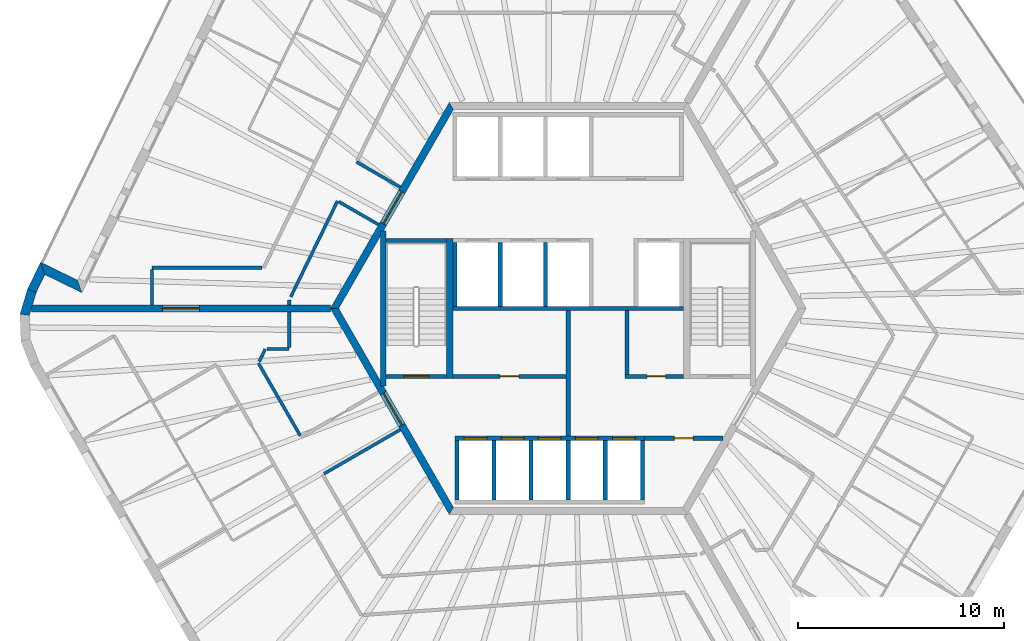
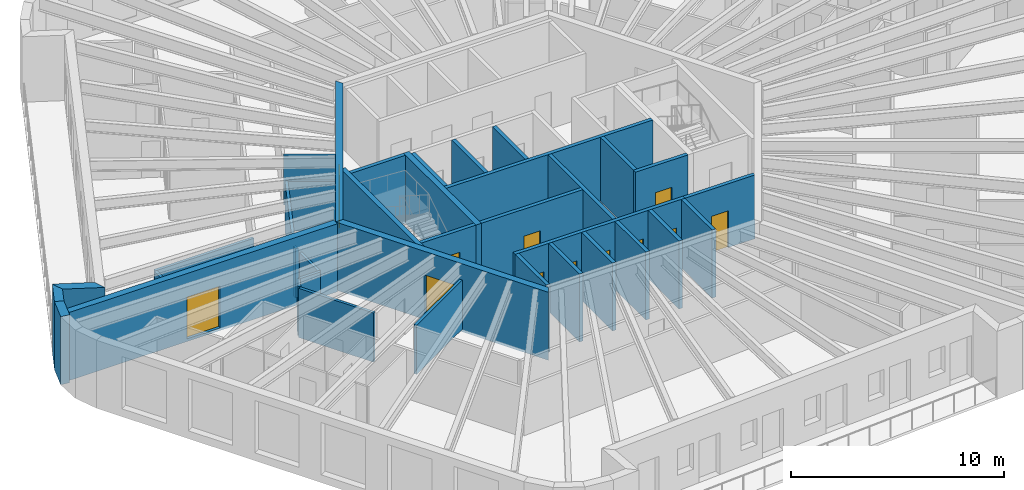
# One storey, part 4 of 11: 37 walls, 12 doors, 12 openings.
"""IFC4 building model written with IfcOpenShell, lengths in metres."""

from ifc_helpers import new_model, si_unit, direction, frame, frame_2d, origin, place, context, subcontext, project, spatial, polyline, rectangle, outline, extrude, material, layer, layer_set, type_object, element, fill, save


model = new_model("IFC4")

# Units and contexts
model_context = context("Model", 3, precision=1e-05, world=origin(), true_north=direction((0.0, 1.0)))
body_context = subcontext(model_context, "Body", "Model", "MODEL_VIEW")
ifc_project = project(units=[si_unit("LENGTHUNIT", "METRE"), si_unit("AREAUNIT", "SQUARE_METRE"), si_unit("VOLUMEUNIT", "CUBIC_METRE"), si_unit("PLANEANGLEUNIT", "RADIAN"), si_unit("MASSUNIT", "GRAM", prefix="KILO")], contexts=[model_context])

# Site, building, storey
site_placement = place(None, origin())
site = spatial("IfcSite", under=ifc_project, at=site_placement, CompositionType="ELEMENT")
building_placement = place(site_placement, origin())
building = spatial("IfcBuilding", under=site, at=building_placement, Name="Tarnside Tower", CompositionType="ELEMENT")
storey_placement = place(building_placement, frame((0.0, 0.0, 353.39990234375)))
storey = spatial("IfcBuildingStorey", under=building, at=storey_placement, Name="L85", CompositionType="ELEMENT", Elevation=353.39990234375)

# Wall, opening, door
ifc_material_1 = material(Name="Concrete C40/50", Category="concrete")
ifc_layer_1 = layer(ifc_material_1, 0.199951171875)
ifc_layer_set_1 = layer_set([ifc_layer_1], Name="Core room partition 200 C40/50")
wall_type_1 = type_object("IfcWallType", Name="Core room partition 200 C40/50", PredefinedType="PARTITIONING", material=ifc_layer_set_1)
wall_1_placement = place(storey_placement, frame((-5.60009765625, -3.300048828125, 0.0), z_axis=(0.0, 0.0, 1.0), x_axis=(1.0, 0.0, 0.0)))
wall_1 = element("IfcWall", 1, at=wall_1_placement, inside=storey, type_object=wall_type_1, Name="L85 core partition W3", PredefinedType="PARTITIONING", context=body_context, shape_type="SweptSolid", body=[
    extrude(rectangle(XDim=5.5, YDim=0.199951171875, at=frame_2d((2.75, 0.0))), origin(), (0.0, 0.0, 1.0), 3.650146484375),
])
opening_1_placement = place(wall_1_placement, frame((2.300048828125, 0.0, 0.0)))
opening_1 = element("IfcOpeningElement", 2, at=opening_1_placement, cuts=wall_1, Name="Opening CD-room", PredefinedType="OPENING", context=body_context, shape_type="SweptSolid", body=[
    extrude(rectangle(XDim=0.89990234375, YDim=2.10009765625, at=frame_2d((0.449951171875, 1.050048828125))), frame((0.0, 0.10986328125, 0.0), z_axis=(0.0, -1.0, 0.0), x_axis=(1.0, 0.0, 0.0)), (0.0, 0.0, 1.0), 0.219970703125),
])
ifc_material_2 = material(Name="Steel fire door", Category="steel")
door_type_1 = type_object("IfcDoorType", Name="Room door FD60 900x2100", OperationType="NOTDEFINED", PredefinedType="DOOR", material=ifc_material_2)
door_1_placement = place(opening_1_placement, origin())
door_1 = element("IfcDoor", 3, at=door_1_placement, inside=storey, type_object=door_type_1, Name="L85 core room door W3D", OperationType="SINGLE_SWING_LEFT", OverallHeight=2.10009765625, OverallWidth=0.89990234375, PredefinedType="DOOR", context=body_context, shape_type="SweptSolid", body=[
    extrude(rectangle(XDim=0.89990234375, YDim=2.10009765625, at=frame_2d((0.449951171875, 1.050048828125))), frame((0.0, 0.02490234375, 0.0), z_axis=(0.0, -1.0, 0.0), x_axis=(1.0, 0.0, 0.0)), (0.0, 0.0, 1.0), 0.050048828125),
])
fill(opening_1, door_1)

wall_2_placement = place(storey_placement, frame((2.75, -3.300048828125, 0.0), z_axis=(0.0, 0.0, 1.0), x_axis=(1.0, 0.0, 0.0)))
wall_2 = element("IfcWall", 4, at=wall_2_placement, inside=storey, type_object=wall_type_1, Name="L85 core partition R3S1", PredefinedType="PARTITIONING", context=body_context, shape_type="SweptSolid", body=[
    extrude(rectangle(XDim=2.85009765625, YDim=0.199951171875, at=frame_2d((1.425048828125, 0.0))), origin(), (0.0, 0.0, 1.0), 3.650146484375),
])
opening_2_placement = place(wall_2_placement, frame((1.074951171875, 0.0, 0.0)))
opening_2 = element("IfcOpeningElement", 5, at=opening_2_placement, cuts=wall_2, Name="Opening CD-room", PredefinedType="OPENING", context=body_context, shape_type="SweptSolid", body=[
    extrude(rectangle(XDim=0.89990234375, YDim=2.10009765625, at=frame_2d((0.449951171875, 1.050048828125))), frame((0.0, 0.10986328125, 0.0), z_axis=(0.0, -1.0, 0.0), x_axis=(1.0, 0.0, 0.0)), (0.0, 0.0, 1.0), 0.219970703125),
])
door_2_placement = place(opening_2_placement, origin())
door_2 = element("IfcDoor", 6, at=door_2_placement, inside=storey, type_object=door_type_1, Name="L85 core room door SR1", OperationType="SINGLE_SWING_LEFT", OverallHeight=2.10009765625, OverallWidth=0.89990234375, PredefinedType="DOOR", context=body_context, shape_type="SweptSolid", body=[
    extrude(rectangle(XDim=0.89990234375, YDim=2.10009765625, at=frame_2d((0.449951171875, 1.050048828125))), frame((0.0, 0.02490234375, 0.0), z_axis=(0.0, -1.0, 0.0), x_axis=(1.0, 0.0, 0.0)), (0.0, 0.0, 1.0), 0.050048828125),
])
fill(opening_2, door_2)

# Walls
wall_3_placement = place(storey_placement, frame((2.85009765625, -3.199951171875, 0.0), z_axis=(0.0, 0.0, 1.0), x_axis=(0.0, 1.0, 0.0)))
element("IfcWall", 7, at=wall_3_placement, inside=storey, type_object=wall_type_1, Name="L85 core partition R3P1a", PredefinedType="PARTITIONING", context=body_context, shape_type="SweptSolid", body=[
    extrude(rectangle(XDim=3.099853515625, YDim=0.199951171875, at=frame_2d((1.5498046875, 0.0))), origin(), (0.0, 0.0, 1.0), 3.650146484375),
])
wall_4_placement = place(storey_placement, frame((0.0, -6.199951171875, 0.0), z_axis=(0.0, 0.0, 1.0), x_axis=(0.0, 1.0, 0.0)))
element("IfcWall", 8, at=wall_4_placement, inside=storey, type_object=wall_type_1, Name="L85 core partition X0", PredefinedType="PARTITIONING", context=body_context, shape_type="SweptSolid", body=[
    extrude(rectangle(XDim=6.099853515625, YDim=0.199951171875, at=frame_2d((3.0498046875, 0.0))), origin(), (0.0, 0.0, 1.0), 3.650146484375),
])

# Wall, opening, door
wall_5_placement = place(storey_placement, frame((3.699951171875, -6.300048828125, 0.0), z_axis=(0.0, 0.0, 1.0), x_axis=(1.0, 0.0, 0.0)))
wall_5 = element("IfcWall", 9, at=wall_5_placement, inside=storey, type_object=wall_type_1, Name="L85 core partition R4X", PredefinedType="PARTITIONING", context=body_context, shape_type="SweptSolid", body=[
    extrude(rectangle(XDim=3.8056640625, YDim=0.199951171875, at=frame_2d((1.90283203125, 0.0))), origin(), (0.0, 0.0, 1.0), 3.650146484375),
])
opening_3_placement = place(wall_5_placement, frame((1.452880859375, 0.0, 0.0)))
opening_3 = element("IfcOpeningElement", 10, at=opening_3_placement, cuts=wall_5, Name="Opening CD-room", PredefinedType="OPENING", context=body_context, shape_type="SweptSolid", body=[
    extrude(rectangle(XDim=0.89990234375, YDim=2.10009765625, at=frame_2d((0.449951171875, 1.050048828125))), frame((0.0, 0.10986328125, 0.0), z_axis=(0.0, -1.0, 0.0), x_axis=(1.0, 0.0, 0.0)), (0.0, 0.0, 1.0), 0.219970703125),
])
door_3_placement = place(opening_3_placement, origin())
door_3 = element("IfcDoor", 11, at=door_3_placement, inside=storey, type_object=door_type_1, Name="L85 core room door RX", OperationType="SINGLE_SWING_LEFT", OverallHeight=2.10009765625, OverallWidth=0.89990234375, PredefinedType="DOOR", context=body_context, shape_type="SweptSolid", body=[
    extrude(rectangle(XDim=0.89990234375, YDim=2.10009765625, at=frame_2d((0.449951171875, 1.050048828125))), frame((0.0, 0.02490234375, 0.0), z_axis=(0.0, -1.0, 0.0), x_axis=(1.0, 0.0, 0.0)), (0.0, 0.0, 1.0), 0.050048828125),
])
fill(opening_3, door_3)

ifc_material_3 = material(Name="Concrete C50/60", Category="concrete")
ifc_layer_2 = layer(ifc_material_3, 0.35009765625)
ifc_layer_set_2 = layer_set([ifc_layer_2], Name="Core wall Z4 350 C50/60")
wall_type_2 = type_object("IfcWallType", Name="Core wall Z4 350 C50/60", PredefinedType="SHEAR", material=ifc_layer_set_2)
wall_6_placement = place(storey_placement, frame((-5.672607421875, 9.824951171875, -0.14990234375), z_axis=(0.0, 0.0, 1.0), x_axis=(-0.499995046907, -0.866028263435, 0.0)))
wall_6 = element("IfcWall", 12, at=wall_6_placement, inside=storey, type_object=wall_type_2, Name="L85 core wall face 2", PredefinedType="SHEAR", context=body_context, shape_type="SweptSolid", body=[
    extrude(outline(polyline([(-0.10107421875, -0.175048828125), (11.44580078125, -0.175048828125), (11.24365234375, 0.175048828125), (0.10107421875, 0.175048828125), (-0.10107421875, -0.175048828125)])), origin(), (0.0, 0.0, 1.0), 3.89990234375),
])
opening_4_placement = place(wall_6_placement, frame((4.80126953125, 0.0, 0.14990234375)))
opening_4 = element("IfcOpeningElement", 13, at=opening_4_placement, cuts=wall_6, Name="Opening CD-LOB", PredefinedType="OPENING", context=body_context, shape_type="SweptSolid", body=[
    extrude(rectangle(XDim=1.800048828125, YDim=2.39990234375, at=frame_2d((0.89990234375, 1.199951171875))), frame((0.0, 0.18505859375, 0.0), z_axis=(0.0, -1.0, 0.0), x_axis=(1.0, 0.0, 0.0)), (0.0, 0.0, 1.0), 0.3701171875),
])
door_type_2 = type_object("IfcDoorType", Name="Lobby double door FD30S 1800x2400", OperationType="NOTDEFINED", PredefinedType="DOOR", material=ifc_material_2)
door_4_placement = place(opening_4_placement, origin())
door_4 = element("IfcDoor", 14, at=door_4_placement, inside=storey, type_object=door_type_2, Name="L85 core door P1", OperationType="DOUBLE_DOOR_SINGLE_SWING", OverallHeight=2.39990234375, OverallWidth=1.800048828125, PredefinedType="DOOR", context=body_context, shape_type="SweptSolid", body=[
    extrude(rectangle(XDim=1.800048828125, YDim=2.39990234375, at=frame_2d((0.89990234375, 1.199951171875))), frame((0.0, 0.02490234375, 0.0), z_axis=(0.0, -1.0, 0.0), x_axis=(1.0, 0.0, 0.0)), (0.0, 0.0, 1.0), 0.050048828125),
])
fill(opening_4, door_4)

wall_7_placement = place(storey_placement, frame((-11.344970703125, 0.0, -0.14990234375), z_axis=(0.0, 0.0, 1.0), x_axis=(0.499995046907, -0.866028263435, 0.0)))
wall_7 = element("IfcWall", 15, at=wall_7_placement, inside=storey, type_object=wall_type_2, Name="L85 core wall face 3", PredefinedType="SHEAR", context=body_context, shape_type="SweptSolid", body=[
    extrude(outline(polyline([(-0.10107421875, -0.175048828125), (11.44580078125, -0.175048828125), (11.24365234375, 0.175048828125), (0.10107421875, 0.175048828125), (-0.10107421875, -0.175048828125)])), origin(), (0.0, 0.0, 1.0), 3.89990234375),
])
opening_5_placement = place(wall_7_placement, frame((4.74365234375, 0.0, 0.14990234375)))
opening_5 = element("IfcOpeningElement", 16, at=opening_5_placement, cuts=wall_7, Name="Opening CD-FFL", PredefinedType="OPENING", context=body_context, shape_type="SweptSolid", body=[
    extrude(rectangle(XDim=1.800048828125, YDim=2.39990234375, at=frame_2d((0.89990234375, 1.199951171875))), frame((0.0, 0.18505859375, 0.0), z_axis=(0.0, -1.0, 0.0), x_axis=(1.0, 0.0, 0.0)), (0.0, 0.0, 1.0), 0.3701171875),
])
door_type_3 = type_object("IfcDoorType", Name="Firefighting lobby double door FD60S 1800x2400", OperationType="NOTDEFINED", PredefinedType="DOOR", material=ifc_material_2)
door_5_placement = place(opening_5_placement, origin())
door_5 = element("IfcDoor", 17, at=door_5_placement, inside=storey, type_object=door_type_3, Name="L85 core door P3", OperationType="DOUBLE_DOOR_SINGLE_SWING", OverallHeight=2.39990234375, OverallWidth=1.800048828125, PredefinedType="DOOR", context=body_context, shape_type="SweptSolid", body=[
    extrude(rectangle(XDim=1.800048828125, YDim=2.39990234375, at=frame_2d((0.89990234375, 1.199951171875))), frame((0.0, 0.02490234375, 0.0), z_axis=(0.0, -1.0, 0.0), x_axis=(1.0, 0.0, 0.0)), (0.0, 0.0, 1.0), 0.050048828125),
])
fill(opening_5, door_5)

wall_8_placement = place(storey_placement, frame((-11.547119140625, 0.0, -0.14990234375), z_axis=(0.0, 0.0, 1.0), x_axis=(-1.0, 0.0, 0.0)))
wall_8 = element("IfcWall", 18, at=wall_8_placement, inside=storey, type_object=wall_type_2, Name="L85 spine wall 2", PredefinedType="SHEAR", context=body_context, shape_type="SweptSolid", body=[
    extrude(rectangle(XDim=14.510498046875, YDim=0.35009765625, at=frame_2d((7.25537109375, 0.0))), origin(), (0.0, 0.0, 1.0), 3.89990234375),
])
opening_6_placement = place(wall_8_placement, frame((6.355224609375, 0.0, 0.14990234375)))
opening_6 = element("IfcOpeningElement", 19, at=opening_6_placement, cuts=wall_8, Name="Opening CD-SPN", PredefinedType="OPENING", context=body_context, shape_type="SweptSolid", body=[
    extrude(rectangle(XDim=1.800048828125, YDim=2.39990234375, at=frame_2d((0.89990234375, 1.199951171875))), frame((0.0, 0.18505859375, 0.0), z_axis=(0.0, -1.0, 0.0), x_axis=(1.0, 0.0, 0.0)), (0.0, 0.0, 1.0), 0.3701171875),
])
door_type_4 = type_object("IfcDoorType", Name="Spine passage double door FD60 1800x2400", OperationType="NOTDEFINED", PredefinedType="DOOR", material=ifc_material_2)
door_6_placement = place(opening_6_placement, origin())
door_6 = element("IfcDoor", 20, at=door_6_placement, inside=storey, type_object=door_type_4, Name="L85 spine passage door 2", OperationType="DOUBLE_DOOR_SINGLE_SWING", OverallHeight=2.39990234375, OverallWidth=1.800048828125, PredefinedType="DOOR", context=body_context, shape_type="SweptSolid", body=[
    extrude(rectangle(XDim=1.800048828125, YDim=2.39990234375, at=frame_2d((0.89990234375, 1.199951171875))), frame((0.0, 0.02490234375, 0.0), z_axis=(0.0, -1.0, 0.0), x_axis=(1.0, 0.0, 0.0)), (0.0, 0.0, 1.0), 0.050048828125),
])
fill(opening_6, door_6)

# Walls
ifc_material_4 = material(Name="Gypsum board partition on steel studs", Category="steel")
ifc_layer_3 = layer(ifc_material_4, 0.14990234375)
ifc_layer_set_3 = layer_set([ifc_layer_3], Name="Corridor wall 150 EI 60")
wall_type_3 = type_object("IfcWallType", Name="Corridor wall 150 EI 60", PredefinedType="PARTITIONING", material=ifc_layer_set_3)
wall_9_placement = place(storey_placement, frame((-14.863525390625, 1.97509765625, 0.0), z_axis=(0.0, 0.0, 1.0), x_axis=(-1.0, 0.0, 0.0)))
element("IfcWall", 21, at=wall_9_placement, inside=storey, type_object=wall_type_3, Name="Corridor wall 27010", PredefinedType="PARTITIONING", context=body_context, shape_type="SweptSolid", body=[
    extrude(rectangle(XDim=5.3388671875, YDim=0.14990234375, at=frame_2d((2.66943359375, 0.0))), origin(), (0.0, 0.0, 1.0), 2.820068359375),
])
wall_10_placement = place(storey_placement, frame((-20.202392578125, 1.89990234375, 0.0), z_axis=(0.0, 0.0, 1.0), x_axis=(0.0, -1.0, 0.0)))
element("IfcWall", 22, at=wall_10_placement, inside=storey, type_object=wall_type_3, Name="Corridor wall 27011", PredefinedType="PARTITIONING", context=body_context, shape_type="SweptSolid", body=[
    extrude(rectangle(XDim=1.724853515625, YDim=0.14990234375, at=frame_2d((0.8623046875, 0.0))), origin(), (0.0, 0.0, 1.0), 2.820068359375),
])
wall_11_placement = place(storey_placement, frame((-13.54052734375, 0.175048828125, 0.0), z_axis=(0.0, 0.0, 1.0), x_axis=(0.0, 1.0, 0.0)))
element("IfcWall", 23, at=wall_11_placement, inside=storey, type_object=wall_type_3, Name="Corridor wall 27015", PredefinedType="PARTITIONING", context=body_context, shape_type="SweptSolid", body=[
    extrude(rectangle(XDim=0.235107421875, YDim=0.14990234375, at=frame_2d((0.11767578125, 0.0))), origin(), (0.0, 0.0, 1.0), 2.820068359375),
])
wall_12_placement = place(storey_placement, frame((-13.465576171875, 0.563720703125, 0.0), z_axis=(0.0, 0.0, 1.0), x_axis=(0.438366040624, 0.898796536724, 0.0)))
element("IfcWall", 24, at=wall_12_placement, inside=storey, type_object=wall_type_3, Name="Corridor wall 27016", PredefinedType="PARTITIONING", context=body_context, shape_type="SweptSolid", body=[
    extrude(rectangle(XDim=5.178466796875, YDim=0.14990234375, at=frame_2d((2.58935546875, 0.0))), origin(), (0.0, 0.0, 1.0), 2.820068359375),
])
wall_13_placement = place(storey_placement, frame((-11.130615234375, 5.180419921875, 0.0), z_axis=(0.0, 0.0, 1.0), x_axis=(0.866037886895, -0.499978377995, 0.0)))
element("IfcWall", 25, at=wall_13_placement, inside=storey, type_object=wall_type_3, Name="Corridor wall 27017", PredefinedType="PARTITIONING", context=body_context, shape_type="SweptSolid", body=[
    extrude(rectangle(XDim=2.2294921875, YDim=0.14990234375, at=frame_2d((1.11474609375, 0.0))), origin(), (0.0, 0.0, 1.0), 2.820068359375),
])
wall_14_placement = place(storey_placement, frame((-8.149658203125, 5.88427734375, 0.0), z_axis=(0.0, 0.0, 1.0), x_axis=(-0.866009790468, 0.500027042082, 0.0)))
element("IfcWall", 26, at=wall_14_placement, inside=storey, type_object=wall_type_3, Name="Corridor wall 27018", PredefinedType="PARTITIONING", context=body_context, shape_type="SweptSolid", body=[
    extrude(rectangle(XDim=2.451416015625, YDim=0.14990234375, at=frame_2d((1.2255859375, 0.0))), origin(), (0.0, 0.0, 1.0), 2.820068359375),
])
wall_15_placement = place(storey_placement, frame((-13.00439453125, -6.17578125, 0.0), z_axis=(0.0, 0.0, 1.0), x_axis=(-0.500022342669, 0.866012503854, 0.0)))
element("IfcWall", 27, at=wall_15_placement, inside=storey, type_object=wall_type_3, Name="Corridor wall 27035", PredefinedType="PARTITIONING", context=body_context, shape_type="SweptSolid", body=[
    extrude(rectangle(XDim=4.063720703125, YDim=0.14990234375, at=frame_2d((2.03173828125, 0.0))), origin(), (0.0, 0.0, 1.0), 2.820068359375),
])
wall_16_placement = place(storey_placement, frame((-14.99658203125, -2.5751953125, 0.0), z_axis=(0.0, 0.0, 1.0), x_axis=(0.438416427913, 0.898771959808, 0.0)))
element("IfcWall", 28, at=wall_16_placement, inside=storey, type_object=wall_type_3, Name="Corridor wall 27036", PredefinedType="PARTITIONING", context=body_context, shape_type="SweptSolid", body=[
    extrude(rectangle(XDim=0.667724609375, YDim=0.14990234375, at=frame_2d((0.333984375, 0.0))), origin(), (0.0, 0.0, 1.0), 2.820068359375),
])
wall_17_placement = place(storey_placement, frame((-14.620361328125, -1.97509765625, 0.0), z_axis=(0.0, 0.0, 1.0), x_axis=(1.0, 0.0, 0.0)))
element("IfcWall", 29, at=wall_17_placement, inside=storey, type_object=wall_type_3, Name="Corridor wall 27037", PredefinedType="PARTITIONING", context=body_context, shape_type="SweptSolid", body=[
    extrude(rectangle(XDim=1.079833984375, YDim=0.14990234375, at=frame_2d((0.5400390625, 0.0))), origin(), (0.0, 0.0, 1.0), 2.820068359375),
])
wall_18_placement = place(storey_placement, frame((-13.54052734375, -1.89990234375, 0.0), z_axis=(0.0, 0.0, 1.0), x_axis=(0.0, 1.0, 0.0)))
element("IfcWall", 30, at=wall_18_placement, inside=storey, type_object=wall_type_3, Name="Corridor wall 27038", PredefinedType="PARTITIONING", context=body_context, shape_type="SweptSolid", body=[
    extrude(rectangle(XDim=1.724853515625, YDim=0.14990234375, at=frame_2d((0.8623046875, 0.0))), origin(), (0.0, 0.0, 1.0), 2.820068359375),
])
wall_19_placement = place(storey_placement, frame((-11.85205078125, -8.021728515625, 0.0), z_axis=(0.0, 0.0, 1.0), x_axis=(0.866038183914, 0.499977863513, 0.0)))
element("IfcWall", 31, at=wall_19_placement, inside=storey, type_object=wall_type_3, Name="Corridor wall 27042", PredefinedType="PARTITIONING", context=body_context, shape_type="SweptSolid", body=[
    extrude(rectangle(XDim=4.275146484375, YDim=0.14990234375, at=frame_2d((2.1376953125, 0.0))), origin(), (0.0, 0.0, 1.0), 2.820068359375),
])
ifc_layer_4 = layer(ifc_material_1, 0.199951171875)
ifc_layer_set_4 = layer_set([ifc_layer_4], Name="Lift shaft wall 200 C40/50")
wall_type_4 = type_object("IfcWallType", Name="Lift shaft wall 200 C40/50", PredefinedType="SHEAR", material=ifc_layer_set_4)
wall_20_placement = place(storey_placement, frame((-5.60009765625, 0.0, -0.25), z_axis=(0.0, 0.0, 1.0), x_axis=(1.0, 0.0, 0.0)))
element("IfcWall", 32, at=wall_20_placement, inside=storey, type_object=wall_type_4, Name="L85 lift shaft back wall R2", PredefinedType="SHEAR", context=body_context, shape_type="SweptSolid", body=[
    extrude(rectangle(XDim=11.2001953125, YDim=0.199951171875, at=frame_2d((5.60009765625, 0.0))), origin(), (0.0, 0.0, 1.0), 3.900146484375),
])
for number, where, z_axis, x_axis, name in (
    (33, (-5.5, 0.10009765625, -0.25), (0.0, 0.0, 1.0), (0.0, 1.0, 0.0), "L85 lift shaft partition R21"),
    (34, (-3.300048828125, 0.10009765625, -0.25), (0.0, 0.0, 1.0), (0.0, 1.0, 0.0), "L85 lift shaft partition R22"),
    (35, (-1.10009765625, 0.10009765625, -0.25), (0.0, 0.0, 1.0), (0.0, 1.0, 0.0), "L85 lift shaft partition R23"),
):
    element("IfcWall", number, at=place(storey_placement, frame(where, z_axis=z_axis, x_axis=x_axis)), inside=storey, type_object=wall_type_4, Name=name, PredefinedType="SHEAR", context=body_context, shape_type="SweptSolid", body=[
        extrude(rectangle(XDim=3.099853515625, YDim=0.199951171875, at=frame_2d((1.5498046875, 0.0))), origin(), (0.0, 0.0, 1.0), 3.900146484375),
    ])

# Wall, openings, doors
wall_21_placement = place(storey_placement, frame((-5.5, -6.300048828125, -0.25), z_axis=(0.0, 0.0, 1.0), x_axis=(1.0, 0.0, 0.0)))
wall_21 = element("IfcWall", 36, at=wall_21_placement, inside=storey, type_object=wall_type_4, Name="L85 lift shaft front wall R4", PredefinedType="SHEAR", context=body_context, shape_type="SweptSolid", body=[
    extrude(rectangle(XDim=9.199951171875, YDim=0.199951171875, at=frame_2d((4.60009765625, 0.0))), origin(), (0.0, 0.0, 1.0), 3.900146484375),
])
opening_7_placement = place(wall_21_placement, frame((0.449951171875, 0.0, 0.25)))
opening_7 = element("IfcOpeningElement", 37, at=opening_7_placement, cuts=wall_21, Name="Opening LDF", PredefinedType="OPENING", context=body_context, shape_type="SweptSolid", body=[
    extrude(rectangle(XDim=1.10009765625, YDim=2.10009765625, at=frame_2d((0.550048828125, 1.050048828125))), frame((0.0, 0.10986328125, 0.0), z_axis=(0.0, -1.0, 0.0), x_axis=(1.0, 0.0, 0.0)), (0.0, 0.0, 1.0), 0.219970703125),
])
opening_8_placement = place(wall_21_placement, frame((2.25, 0.0, 0.25)))
opening_8 = element("IfcOpeningElement", 38, at=opening_8_placement, cuts=wall_21, Name="Opening LDF", PredefinedType="OPENING", context=body_context, shape_type="SweptSolid", body=[
    extrude(rectangle(XDim=1.10009765625, YDim=2.10009765625, at=frame_2d((0.550048828125, 1.050048828125))), frame((0.0, 0.10986328125, 0.0), z_axis=(0.0, -1.0, 0.0), x_axis=(1.0, 0.0, 0.0)), (0.0, 0.0, 1.0), 0.219970703125),
])
opening_9_placement = place(wall_21_placement, frame((4.050048828125, 0.0, 0.25)))
opening_9 = element("IfcOpeningElement", 39, at=opening_9_placement, cuts=wall_21, Name="Opening LDF", PredefinedType="OPENING", context=body_context, shape_type="SweptSolid", body=[
    extrude(rectangle(XDim=1.10009765625, YDim=2.10009765625, at=frame_2d((0.550048828125, 1.050048828125))), frame((0.0, 0.10986328125, 0.0), z_axis=(0.0, -1.0, 0.0), x_axis=(1.0, 0.0, 0.0)), (0.0, 0.0, 1.0), 0.219970703125),
])
opening_10_placement = place(wall_21_placement, frame((5.85009765625, 0.0, 0.25)))
opening_10 = element("IfcOpeningElement", 40, at=opening_10_placement, cuts=wall_21, Name="Opening LDF", PredefinedType="OPENING", context=body_context, shape_type="SweptSolid", body=[
    extrude(rectangle(XDim=1.10009765625, YDim=2.10009765625, at=frame_2d((0.550048828125, 1.050048828125))), frame((0.0, 0.10986328125, 0.0), z_axis=(0.0, -1.0, 0.0), x_axis=(1.0, 0.0, 0.0)), (0.0, 0.0, 1.0), 0.219970703125),
])
opening_11_placement = place(wall_21_placement, frame((7.64990234375, 0.0, 0.25)))
opening_11 = element("IfcOpeningElement", 41, at=opening_11_placement, cuts=wall_21, Name="Opening LDF", PredefinedType="OPENING", context=body_context, shape_type="SweptSolid", body=[
    extrude(rectangle(XDim=1.10009765625, YDim=2.10009765625, at=frame_2d((0.550048828125, 1.050048828125))), frame((0.0, 0.10986328125, 0.0), z_axis=(0.0, -1.0, 0.0), x_axis=(1.0, 0.0, 0.0)), (0.0, 0.0, 1.0), 0.219970703125),
])
ifc_material_5 = material(Name="Stainless steel", Category="steel")
door_type_5 = type_object("IfcDoorType", Name="Lift landing door 1100x2100 EI 120", OperationType="NOTDEFINED", PredefinedType="DOOR", material=ifc_material_5)
door_7_placement = place(opening_7_placement, origin())
door_7 = element("IfcDoor", 42, at=door_7_placement, inside=storey, type_object=door_type_5, Name="Firefighting lift 1 landing door L85", OperationType="SLIDING_TO_LEFT", OverallHeight=2.10009765625, OverallWidth=1.10009765625, PredefinedType="DOOR", context=body_context, shape_type="SweptSolid", body=[
    extrude(rectangle(XDim=1.10009765625, YDim=2.10009765625, at=frame_2d((0.550048828125, 1.050048828125))), frame((0.0, 0.02490234375, 0.0), z_axis=(0.0, -1.0, 0.0), x_axis=(1.0, 0.0, 0.0)), (0.0, 0.0, 1.0), 0.050048828125),
])
fill(opening_7, door_7)
door_8_placement = place(opening_8_placement, origin())
door_8 = element("IfcDoor", 43, at=door_8_placement, inside=storey, type_object=door_type_5, Name="Firefighting lift 2 landing door L85", OperationType="SLIDING_TO_LEFT", OverallHeight=2.10009765625, OverallWidth=1.10009765625, PredefinedType="DOOR", context=body_context, shape_type="SweptSolid", body=[
    extrude(rectangle(XDim=1.10009765625, YDim=2.10009765625, at=frame_2d((0.550048828125, 1.050048828125))), frame((0.0, 0.02490234375, 0.0), z_axis=(0.0, -1.0, 0.0), x_axis=(1.0, 0.0, 0.0)), (0.0, 0.0, 1.0), 0.050048828125),
])
fill(opening_8, door_8)
door_9_placement = place(opening_9_placement, origin())
door_9 = element("IfcDoor", 44, at=door_9_placement, inside=storey, type_object=door_type_5, Name="Firefighting lift 3 landing door L85", OperationType="SLIDING_TO_LEFT", OverallHeight=2.10009765625, OverallWidth=1.10009765625, PredefinedType="DOOR", context=body_context, shape_type="SweptSolid", body=[
    extrude(rectangle(XDim=1.10009765625, YDim=2.10009765625, at=frame_2d((0.550048828125, 1.050048828125))), frame((0.0, 0.02490234375, 0.0), z_axis=(0.0, -1.0, 0.0), x_axis=(1.0, 0.0, 0.0)), (0.0, 0.0, 1.0), 0.050048828125),
])
fill(opening_9, door_9)
door_10_placement = place(opening_10_placement, origin())
door_10 = element("IfcDoor", 45, at=door_10_placement, inside=storey, type_object=door_type_5, Name="Firefighting lift 4 landing door L85", OperationType="SLIDING_TO_LEFT", OverallHeight=2.10009765625, OverallWidth=1.10009765625, PredefinedType="DOOR", context=body_context, shape_type="SweptSolid", body=[
    extrude(rectangle(XDim=1.10009765625, YDim=2.10009765625, at=frame_2d((0.550048828125, 1.050048828125))), frame((0.0, 0.02490234375, 0.0), z_axis=(0.0, -1.0, 0.0), x_axis=(1.0, 0.0, 0.0)), (0.0, 0.0, 1.0), 0.050048828125),
])
fill(opening_10, door_10)
door_11_placement = place(opening_11_placement, origin())
door_11 = element("IfcDoor", 46, at=door_11_placement, inside=storey, type_object=door_type_5, Name="Firefighting lift 5 landing door L85", OperationType="SLIDING_TO_LEFT", OverallHeight=2.10009765625, OverallWidth=1.10009765625, PredefinedType="DOOR", context=body_context, shape_type="SweptSolid", body=[
    extrude(rectangle(XDim=1.10009765625, YDim=2.10009765625, at=frame_2d((0.550048828125, 1.050048828125))), frame((0.0, 0.02490234375, 0.0), z_axis=(0.0, -1.0, 0.0), x_axis=(1.0, 0.0, 0.0)), (0.0, 0.0, 1.0), 0.050048828125),
])
fill(opening_11, door_11)

# Walls
for number, where, z_axis, x_axis, name in (
    (47, (-5.39990234375, -9.300048828125, -0.25), (0.0, 0.0, 1.0), (0.0, 1.0, 0.0), "L85 lift shaft partition R41"),
    (48, (-3.60009765625, -9.300048828125, -0.25), (0.0, 0.0, 1.0), (0.0, 1.0, 0.0), "L85 lift shaft partition R42"),
    (49, (-1.800048828125, -9.300048828125, -0.25), (0.0, 0.0, 1.0), (0.0, 1.0, 0.0), "L85 lift shaft partition R43"),
    (50, (0.0, -9.300048828125, -0.25), (0.0, 0.0, 1.0), (0.0, 1.0, 0.0), "L85 lift shaft partition R44"),
    (51, (1.800048828125, -9.300048828125, -0.25), (0.0, 0.0, 1.0), (0.0, 1.0, 0.0), "L85 lift shaft partition R45"),
    (52, (3.60009765625, -9.300048828125, -0.25), (0.0, 0.0, 1.0), (0.0, 1.0, 0.0), "L85 lift shaft partition R46"),
):
    element("IfcWall", number, at=place(storey_placement, frame(where, z_axis=z_axis, x_axis=x_axis)), inside=storey, type_object=wall_type_4, Name=name, PredefinedType="SHEAR", context=body_context, shape_type="SweptSolid", body=[
        extrude(rectangle(XDim=2.900146484375, YDim=0.199951171875, at=frame_2d((1.4501953125, 0.0))), origin(), (0.0, 0.0, 1.0), 3.900146484375),
    ])
wall_22_placement = place(storey_placement, frame((-8.85009765625, 3.300048828125, -0.25), z_axis=(0.0, 0.0, 1.0), x_axis=(1.0, 0.0, 0.0)))
element("IfcWall", 53, at=wall_22_placement, inside=storey, type_object=wall_type_4, Name="L85 stair 2 enclosure cap wall n", PredefinedType="SHEAR", context=body_context, shape_type="SweptSolid", body=[
    extrude(rectangle(XDim=2.9501953125, YDim=0.199951171875, at=frame_2d((1.47509765625, 0.0))), origin(), (0.0, 0.0, 1.0), 3.900146484375),
])

# Wall, opening, door
wall_23_placement = place(storey_placement, frame((-8.85009765625, -3.300048828125, -0.25), z_axis=(0.0, 0.0, 1.0), x_axis=(1.0, 0.0, 0.0)))
wall_23 = element("IfcWall", 54, at=wall_23_placement, inside=storey, type_object=wall_type_4, Name="L85 stair 2 enclosure cap wall s", PredefinedType="SHEAR", context=body_context, shape_type="SweptSolid", body=[
    extrude(rectangle(XDim=2.9501953125, YDim=0.199951171875, at=frame_2d((1.47509765625, 0.0))), origin(), (0.0, 0.0, 1.0), 3.900146484375),
])
opening_12_placement = place(wall_23_placement, frame((0.875, 0.0, 0.25)))
opening_12 = element("IfcOpeningElement", 55, at=opening_12_placement, cuts=wall_23, Name="Opening CD-STR", PredefinedType="OPENING", context=body_context, shape_type="SweptSolid", body=[
    extrude(rectangle(XDim=1.199951171875, YDim=2.39990234375, at=frame_2d((0.60009765625, 1.199951171875))), frame((0.0, 0.10986328125, 0.0), z_axis=(0.0, -1.0, 0.0), x_axis=(1.0, 0.0, 0.0)), (0.0, 0.0, 1.0), 0.219970703125),
])
door_type_6 = type_object("IfcDoorType", Name="Stair door FD60S 1200x2400", OperationType="NOTDEFINED", PredefinedType="DOOR", material=ifc_material_2)
door_12_placement = place(opening_12_placement, origin())
door_12 = element("IfcDoor", 56, at=door_12_placement, inside=storey, type_object=door_type_6, Name="L85 stair 2 door", OperationType="SINGLE_SWING_LEFT", OverallHeight=2.39990234375, OverallWidth=1.199951171875, PredefinedType="DOOR", context=body_context, shape_type="SweptSolid", body=[
    extrude(rectangle(XDim=1.199951171875, YDim=2.39990234375, at=frame_2d((0.60009765625, 1.199951171875))), frame((0.0, 0.02490234375, 0.0), z_axis=(0.0, -1.0, 0.0), x_axis=(1.0, 0.0, 0.0)), (0.0, 0.0, 1.0), 0.050048828125),
])
fill(opening_12, door_12)

# Walls
ifc_material_6 = material(Name="Dark zinc cladding")
ifc_layer_5 = layer(ifc_material_6, 0.10205078125)
ifc_material_7 = material(Name="Concrete C60/75 precast", Category="concrete")
ifc_layer_6 = layer(ifc_material_7, 0.248046875)
ifc_material_8 = material(Name="Mineral wool insulation")
ifc_layer_7 = layer(ifc_material_8, 0.10009765625)
ifc_layer_set_5 = layer_set([ifc_layer_5, ifc_layer_6, ifc_layer_7], Name="Loggia wall 450 zinc faced")
wall_type_5 = type_object("IfcWallType", Name="Loggia wall 450 zinc faced", PredefinedType="SOLIDWALL", material=ifc_layer_set_5)
wall_24_placement = place(storey_placement, frame((-23.70703125, 1.066162109375, -0.14990234375), z_axis=(0.0, 0.0, 1.0), x_axis=(-0.898779005228, 0.438401984213, 0.0)))
element("IfcWall", 57, at=wall_24_placement, inside=storey, type_object=wall_type_5, Name="Tube wall L85 F2 return 07", PredefinedType="SOLIDWALL", context=body_context, shape_type="SweptSolid", body=[
    extrude(outline(polyline([(0.224853515625, -0.22509765625), (2.224609375, -0.22509765625), (1.77490234375, 0.22509765625), (-0.224853515625, 0.22509765625), (0.224853515625, -0.22509765625)])), origin(), (0.0, 0.0, 1.0), 3.89990234375),
])
wall_25_placement = place(storey_placement, frame((-25.50439453125, 1.94287109375, -0.14990234375), z_axis=(0.0, 0.0, 1.0), x_axis=(-0.43840359141, -0.898778221275, 0.0)))
element("IfcWall", 58, at=wall_25_placement, inside=storey, type_object=wall_type_5, Name="Tube wall L85 F2 stub 08", PredefinedType="SOLIDWALL", context=body_context, shape_type="SweptSolid", body=[
    extrude(outline(polyline([(-0.224853515625, -0.22509765625), (1.218505859375, -0.22509765625), (1.181884765625, 0.22509765625), (0.224853515625, 0.22509765625), (-0.224853515625, -0.22509765625)])), origin(), (0.0, 0.0, 1.0), 3.89990234375),
])
ifc_layer_8 = layer(ifc_material_1, 0.25)
ifc_layer_set_6 = layer_set([ifc_layer_8], Name="Stair enclosure wall 250 C40/50")
wall_type_6 = type_object("IfcWallType", Name="Stair enclosure wall 250 C40/50", PredefinedType="SHEAR", material=ifc_layer_set_6)
wall_26_placement = place(storey_placement, frame((-8.97509765625, -3.7548828125, -0.25), z_axis=(0.0, 0.0, 1.0), x_axis=(0.0, 1.0, 0.0)))
element("IfcWall", 59, at=wall_26_placement, inside=storey, type_object=wall_type_6, Name="L85 stair 2 enclosure wall outer", PredefinedType="SHEAR", context=body_context, shape_type="SweptSolid", body=[
    extrude(rectangle(XDim=7.509765625, YDim=0.25, at=frame_2d((3.7548828125, 0.0))), origin(), (0.0, 0.0, 1.0), 3.900146484375),
])
ifc_layer_9 = layer(ifc_material_1, 0.300048828125)
ifc_layer_set_7 = layer_set([ifc_layer_9], Name="Stair enclosure wall 300 C40/50")
wall_type_7 = type_object("IfcWallType", Name="Stair enclosure wall 300 C40/50", PredefinedType="SHEAR", material=ifc_layer_set_7)
wall_27_placement = place(storey_placement, frame((-5.75, -3.39990234375, -0.25), z_axis=(0.0, 0.0, 1.0), x_axis=(0.0, 1.0, 0.0)))
element("IfcWall", 60, at=wall_27_placement, inside=storey, type_object=wall_type_7, Name="L85 stair 2 enclosure wall inner", PredefinedType="SHEAR", context=body_context, shape_type="SweptSolid", body=[
    extrude(rectangle(XDim=6.7998046875, YDim=0.300048828125, at=frame_2d((3.39990234375, 0.0))), origin(), (0.0, 0.0, 1.0), 3.900146484375),
])
ifc_material_9 = material(Name="Facing brick", Category="masonry")
ifc_layer_10 = layer(ifc_material_9, 0.10205078125)
ifc_layer_11 = layer(ifc_material_7, 0.248046875)
ifc_layer_12 = layer(ifc_material_8, 0.10009765625)
ifc_layer_set_8 = layer_set([ifc_layer_10, ifc_layer_11, ifc_layer_12], Name="Tube wall 450 brick faced")
wall_type_8 = type_object("IfcWallType", Name="Tube wall 450 brick faced", PredefinedType="SOLIDWALL", material=ifc_layer_set_8)
wall_28_placement = place(storey_placement, frame((-26.030517578125, 0.8642578125, -0.14990234375), z_axis=(0.0, 0.0, 1.0), x_axis=(-0.286945389156, -0.957946941977, 0.0)))
element("IfcWall", 61, at=wall_28_placement, inside=storey, type_object=wall_type_8, Name="Tube wall L85 F2 chord 09", PredefinedType="SOLIDWALL", context=body_context, shape_type="SweptSolid", body=[
    extrude(outline(polyline([(-0.018310546875, -0.22509765625), (1.26123046875, -0.22509765625), (1.1875, 0.22509765625), (0.018310546875, 0.22509765625), (-0.018310546875, -0.22509765625)])), origin(), (0.0, 0.0, 1.0), 3.89990234375),
])

save(model, "model.ifc")
